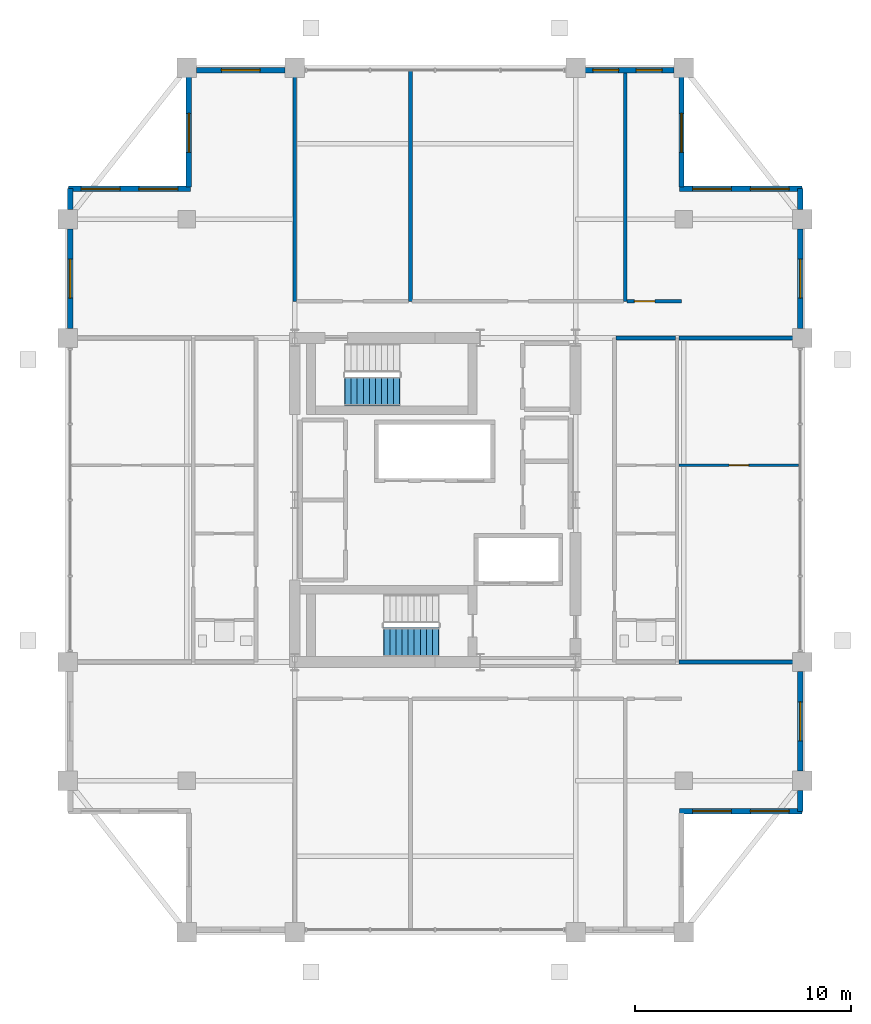
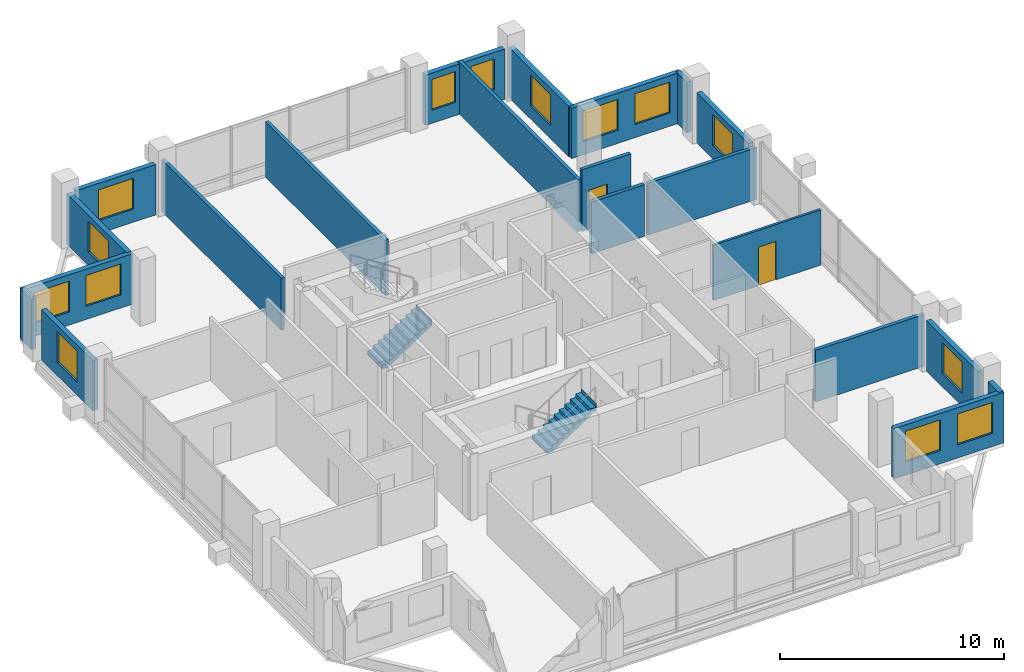
# One storey, part 18 of 21: 21 walls, 14 windows, 2 doors, 2 stair flights, 16 openings, 2 elements without a shape of their own.
"""IFC4 building model written with IfcOpenShell, lengths in metres."""

import ifcopenshell
import ifcopenshell.guid

model = None  # the IFC model being written
_history = None  # IfcOwnerHistory: only IFC2X3 demands one
_inside = {}  # id of a spatial element -> (the spatial element, [elements in it])
_under = {}  # id of a project, library or spatial element -> (it, [spatial elements below it])
_declared = {}  # id of a project -> (the project, [libraries it declares])
_typed = {}  # id of a type object -> (the type object, [elements of that type])
_made_of = {}  # id of a material, layer set ... -> (it, [elements and type objects made of it])


def new_model(schema):
    """Start an empty IFC model of exactly this schema.

    Asked for "IFC4X3", IfcOpenShell would pick the latest addendum, in which some entities
    have other attributes; the version numbers below select the first issue.
    IFC2X3 requires an IfcOwnerHistory on every rooted entity: one is made here for all.
    """
    global model, _history
    if schema == "IFC4X3":
        model = ifcopenshell.file(schema_version=(4, 3, 0, 0))
    else:
        model = ifcopenshell.file(schema=schema)
    _inside.clear()
    _under.clear()
    _declared.clear()
    _typed.clear()
    _made_of.clear()
    _history = None
    if model.schema == "IFC2X3":
        org = make("IfcOrganization", Name="unknown")
        user = make(
            "IfcPersonAndOrganization",
            ThePerson=make("IfcPerson", FamilyName="unknown"),
            TheOrganization=org,
        )
        app = make(
            "IfcApplication",
            ApplicationDeveloper=org,
            Version="unknown",
            ApplicationFullName="unknown",
            ApplicationIdentifier="unknown",
        )
        _history = make(
            "IfcOwnerHistory",
            OwningUser=user,
            OwningApplication=app,
            ChangeAction="ADDED",
            CreationDate=0,
        )
    return model


def make(cls, **values):
    """One entity of the class cls with the attributes given. An attribute that is None is left unset."""
    return model.create_entity(
        cls, **{name: value for name, value in values.items() if value is not None}
    )


def rooted(cls, **values):
    """An entity with a GlobalId (a new one), such as an element, a storey or a relation."""
    return make(cls, GlobalId=ifcopenshell.guid.new(), OwnerHistory=_history, **values)


def si_unit(unit_type, name, prefix=None):
    """IfcSIUnit, for example si_unit("LENGTHUNIT", "METRE", prefix="MILLI")."""
    return make("IfcSIUnit", UnitType=unit_type, Prefix=prefix, Name=name)


def assignment(units):
    """IfcUnitAssignment: the units of a project."""
    return None if units is None else make("IfcUnitAssignment", Units=units)


def point(xyz):
    """IfcCartesianPoint."""
    return None if xyz is None else make("IfcCartesianPoint", Coordinates=xyz)


def direction(xyz):
    """IfcDirection."""
    return None if xyz is None else make("IfcDirection", DirectionRatios=xyz)


def frame(location, z_axis=None, x_axis=None):
    """IfcAxis2Placement3D, a coordinate frame: its origin and axes. An axis left out is left unset."""
    return make(
        "IfcAxis2Placement3D",
        Location=point(location),
        Axis=direction(z_axis),
        RefDirection=direction(x_axis),
    )


def frame_2d(location, x_axis=None):
    """IfcAxis2Placement2D, a coordinate frame in the plane: its origin and x axis."""
    return make(
        "IfcAxis2Placement2D", Location=point(location), RefDirection=direction(x_axis)
    )


def origin():
    """The frame at (0, 0, 0) with its axes left unset."""
    return frame((0.0, 0.0, 0.0))


def place(relative_to, where):
    """IfcLocalPlacement: puts the frame where relative to a parent placement (None: the world)."""
    return make(
        "IfcLocalPlacement", PlacementRelTo=relative_to, RelativePlacement=where
    )


def context(
    kind, dimensions, precision=None, world=None, true_north=None, identifier=None
):
    """IfcGeometricRepresentationContext, for example the 3D "Model" context."""
    return make(
        "IfcGeometricRepresentationContext",
        ContextIdentifier=identifier,
        ContextType=kind,
        CoordinateSpaceDimension=dimensions,
        Precision=precision,
        WorldCoordinateSystem=world,
        TrueNorth=true_north,
    )


def subcontext(parent, identifier, kind, view, scale=None):
    """IfcGeometricRepresentationSubContext, for example "Body" below "Model"."""
    return make(
        "IfcGeometricRepresentationSubContext",
        ContextIdentifier=identifier,
        ContextType=kind,
        ParentContext=parent,
        TargetScale=scale,
        TargetView=view,
    )


def project(units=None, contexts=None):
    """IfcProject with its units and contexts."""
    return rooted(
        "IfcProject",
        Name="project",
        RepresentationContexts=contexts,
        UnitsInContext=assignment(units),
    )


def spatial(cls, under=None, at=None, **own):
    """A site, building, storey or space (cls), placed at a placement, below another one or the project."""
    s = rooted(cls, ObjectPlacement=at, **own)
    if under is not None:
        _under.setdefault(under.id(), (under, []))[1].append(s)
    return s


def polyline(points):
    """IfcPolyline through the points."""
    return make("IfcPolyline", Points=[point(p) for p in points])


def profile(cls, at=None, kind="AREA", **sizes):
    """A parametric profile (cls). Its sizes go by their IFC names, for example OverallWidth=200.0."""
    return make(cls, ProfileType=kind, Position=at, **sizes)


def rectangle(**sizes):
    """IfcRectangleProfileDef."""
    return profile("IfcRectangleProfileDef", **sizes)


def outline(outer, holes=None, kind="AREA"):
    """IfcArbitraryClosedProfileDef: a profile drawn as a closed curve; with holes, ...WithVoids."""
    if holes is None:
        return make("IfcArbitraryClosedProfileDef", ProfileType=kind, OuterCurve=outer)
    return make(
        "IfcArbitraryProfileDefWithVoids",
        ProfileType=kind,
        OuterCurve=outer,
        InnerCurves=holes,
    )


def extrude(swept, where, along, depth):
    """IfcExtrudedAreaSolid: the profile swept, set in the frame where, extruded along a direction by depth."""
    return make(
        "IfcExtrudedAreaSolid",
        SweptArea=swept,
        Position=where,
        ExtrudedDirection=direction(along),
        Depth=depth,
    )


def shape(context_of_items, identifier, shape_type, items):
    """IfcShapeRepresentation: the items that make up one representation, for example the "Body"."""
    return make(
        "IfcShapeRepresentation",
        ContextOfItems=context_of_items,
        RepresentationIdentifier=identifier,
        RepresentationType=shape_type,
        Items=items,
    )


def material(Name=None, Category=None):
    """IfcMaterial."""
    return make("IfcMaterial", Name=Name, Category=Category)


def layer(
    of_material, thickness, ventilated=None, Name=None, Category=None, Priority=None
):
    """IfcMaterialLayer: one layer of a wall or slab, of a material (None: an air gap)."""
    return make(
        "IfcMaterialLayer",
        Material=of_material,
        LayerThickness=thickness,
        IsVentilated=ventilated,
        Name=Name,
        Category=Category,
        Priority=Priority,
    )


def layer_set(layers, Name=None):
    """IfcMaterialLayerSet."""
    return make("IfcMaterialLayerSet", MaterialLayers=layers, LayerSetName=Name)


def made_of(thing, what):
    """Note that an element or type object is made of a material, layer set ...; save() writes the relation."""
    if what is not None:
        _made_of.setdefault(what.id(), (what, []))[1].append(thing)
    return thing


def type_object(cls, material=None, **own):
    """A type object (cls), such as IfcWallType, which elements share."""
    return made_of(rooted(cls, **own), material)


def element(
    cls,
    number,
    at=None,
    inside=None,
    cuts=None,
    type_object=None,
    material=None,
    context=None,
    identifier="Body",
    shape_type=None,
    held_by="IfcProductDefinitionShape",
    body=None,
    shapes=None,
    **own,
):
    """One element of the class cls, such as IfcWall. Its Tag is "e" and its number.

    at: its placement. inside: the storey or other place that contains it. cuts: it is an
    opening in that element (IfcRelVoidsElement). A single representation is given by context,
    identifier, shape_type and body (its items); several are given by shapes. held_by: the class
    of the entity that holds the representations. save() writes the other relations.
    """
    e = rooted(cls, Tag="e%d" % number, ObjectPlacement=at, **own)
    if body is not None:
        shapes = [shape(context, identifier, shape_type, body)]
    if shapes is not None:
        e.Representation = make(held_by, Representations=shapes)
    if inside is not None:
        _inside.setdefault(inside.id(), (inside, []))[1].append(e)
    if cuts is not None:
        rooted(
            "IfcRelVoidsElement", RelatingBuildingElement=cuts, RelatedOpeningElement=e
        )
    if type_object is not None:
        _typed.setdefault(type_object.id(), (type_object, []))[1].append(e)
    return made_of(e, material)


def fill(opening, filler):
    """IfcRelFillsElement: the door or window that sits in an opening."""
    return rooted(
        "IfcRelFillsElement",
        RelatingOpeningElement=opening,
        RelatedBuildingElement=filler,
    )


def aggregate(whole, parts):
    """IfcRelAggregates: a whole, such as a stair, and the parts it consists of."""
    return rooted("IfcRelAggregates", RelatingObject=whole, RelatedObjects=parts)


def save(model, path):
    """Write the relations noted so far, then the file.

    IfcRelAggregates (storeys below a building ...), IfcRelContainedInSpatialStructure (elements
    in a storey), IfcRelDefinesByType, IfcRelAssociatesMaterial and IfcRelDeclares: one each for
    every whole, place, type object, material and project.
    """
    for whole, parts in _under.values():
        aggregate(whole, parts)
    for where, things in _inside.values():
        rooted(
            "IfcRelContainedInSpatialStructure",
            RelatedElements=things,
            RelatingStructure=where,
        )
    for kind, things in _typed.values():
        rooted("IfcRelDefinesByType", RelatedObjects=things, RelatingType=kind)
    for what, things in _made_of.values():
        rooted("IfcRelAssociatesMaterial", RelatedObjects=things, RelatingMaterial=what)
    for by, libraries in _declared.values():
        rooted("IfcRelDeclares", RelatingContext=by, RelatedDefinitions=libraries)
    model.write(path)


model = new_model("IFC4")

# Units and contexts
model_context = context("Model", 3, precision=1e-05, world=origin(), true_north=direction((0.0, 1.0)))
body_context = subcontext(model_context, "Body", "Model", "MODEL_VIEW")
ifc_project = project(units=[si_unit("LENGTHUNIT", "METRE"), si_unit("AREAUNIT", "SQUARE_METRE"), si_unit("VOLUMEUNIT", "CUBIC_METRE"), si_unit("PLANEANGLEUNIT", "RADIAN"), si_unit("MASSUNIT", "GRAM", prefix="KILO")], contexts=[model_context])

# Site, building, storey
site_placement = place(None, origin())
site = spatial("IfcSite", under=ifc_project, at=site_placement, CompositionType="ELEMENT")
building_placement = place(site_placement, origin())
building = spatial("IfcBuilding", under=site, at=building_placement, Name="Barlavira Tower and Art Museum", CompositionType="ELEMENT")
storey_placement = place(building_placement, frame((0.0, 0.0, 287.10009765625)))
storey = spatial("IfcBuildingStorey", under=building, at=storey_placement, Name="L75", CompositionType="ELEMENT", Elevation=287.10009765625)

# Wall, opening, door
ifc_material_1 = material(Name="Gypsum acoustic stud partition", Category="gypsum")
ifc_layer_1 = layer(ifc_material_1, 0.1201171875, Name="Gypsum acoustic stud partition")
ifc_layer_set_1 = layer_set([ifc_layer_1], Name="Gypsum acoustic stud partition")
wall_type_1 = type_object("IfcWallType", Name="Apartment Internal Acoustic Partition 120", PredefinedType="PARTITIONING", material=ifc_layer_set_1)
wall_1_placement = place(storey_placement, frame((11.280029296875, 1.60009765625, 0.0), z_axis=(0.0, 0.0, 1.0), x_axis=(1.0, 0.0, 0.0)))
wall_1 = element("IfcWall", 1, at=wall_1_placement, inside=storey, type_object=wall_type_1, Name="L75 Partition Wall 32", PredefinedType="PARTITIONING", context=body_context, shape_type="SweptSolid", body=[
    extrude(rectangle(XDim=5.5400390625, YDim=0.1201171875, at=frame_2d((2.77001953125, 0.0))), origin(), (0.0, 0.0, 1.0), 3.017822265625),
])
opening_1_placement = place(wall_1_placement, frame((2.330078125, 0.0, 0.0)))
opening_1 = element("IfcOpeningElement", 2, at=opening_1_placement, cuts=wall_1, Name="Opening D-01", PredefinedType="OPENING", context=body_context, shape_type="SweptSolid", body=[
    extrude(rectangle(XDim=0.89990234375, YDim=2.10009765625, at=frame_2d((0.449951171875, 1.050048828125))), frame((0.0, 0.070068359375, 0.0), z_axis=(0.0, -1.0, 0.0), x_axis=(1.0, 0.0, 0.0)), (0.0, 0.0, 1.0), 0.14013671875),
])
ifc_material_2 = material(Name="Engineered coastal hardwood", Category="wood")
door_type_1 = type_object("IfcDoorType", Name="Internal Bedroom Timber Flush Door 900x2100", OperationType="NOTDEFINED", PredefinedType="DOOR", material=ifc_material_2)
door_1_placement = place(opening_1_placement, origin())
door_1 = element("IfcDoor", 3, at=door_1_placement, inside=storey, type_object=door_type_1, Name="Apartment E1 Bedroom 1 Door", OperationType="SINGLE_SWING_LEFT", OverallHeight=2.10009765625, OverallWidth=0.89990234375, PredefinedType="DOOR", context=body_context, shape_type="SweptSolid", body=[
    extrude(rectangle(XDim=0.89990234375, YDim=2.10009765625, at=frame_2d((0.449951171875, 1.050048828125))), frame((0.0, 0.02490234375, 0.0), z_axis=(0.0, -1.0, 0.0), x_axis=(1.0, 0.0, 0.0)), (0.0, 0.0, 1.0), 0.050048828125),
])
fill(opening_1, door_1)

# Walls
ifc_layer_2 = layer(ifc_material_1, 0.179931640625, Name="Gypsum acoustic stud partition")
ifc_layer_set_2 = layer_set([ifc_layer_2], Name="Gypsum acoustic stud partition")
wall_type_2 = type_object("IfcWallType", Name="Inter-Tenancy Party Partition Wall 180", PredefinedType="PARTITIONING", material=ifc_layer_set_2)
wall_2_placement = place(storey_placement, frame((-6.5, 9.199951171875, 0.0), z_axis=(0.0, 0.0, 1.0), x_axis=(0.0, 1.0, 0.0)))
element("IfcWall", 4, at=wall_2_placement, inside=storey, type_object=wall_type_2, Name="L75 Partition Wall 4", PredefinedType="PARTITIONING", context=body_context, shape_type="SweptSolid", body=[
    extrude(rectangle(XDim=10.699951171875, YDim=0.179931640625, at=frame_2d((5.35009765625, 0.0))), origin(), (0.0, 0.0, 1.0), 2.825927734375),
])
wall_3_placement = place(storey_placement, frame((-1.14990234375, 9.199951171875, 0.0), z_axis=(0.0, 0.0, 1.0), x_axis=(0.0, 1.0, 0.0)))
element("IfcWall", 5, at=wall_3_placement, inside=storey, type_object=wall_type_2, Name="L75 Partition Wall 8", PredefinedType="PARTITIONING", context=body_context, shape_type="SweptSolid", body=[
    extrude(rectangle(XDim=10.699951171875, YDim=0.179931640625, at=frame_2d((5.35009765625, 0.0))), origin(), (0.0, 0.0, 1.0), 3.017822265625),
])
wall_4_placement = place(storey_placement, frame((8.800048828125, 9.199951171875, 0.0), z_axis=(0.0, 0.0, 1.0), x_axis=(0.0, 1.0, 0.0)))
element("IfcWall", 6, at=wall_4_placement, inside=storey, type_object=wall_type_2, Name="L75 Partition Wall 14", PredefinedType="PARTITIONING", context=body_context, shape_type="SweptSolid", body=[
    extrude(rectangle(XDim=10.699951171875, YDim=0.179931640625, at=frame_2d((5.35009765625, 0.0))), origin(), (0.0, 0.0, 1.0), 2.825927734375),
])
wall_5_placement = place(storey_placement, frame((11.280029296875, -7.5, 0.0), z_axis=(0.0, 0.0, 1.0), x_axis=(1.0, 0.0, 0.0)))
element("IfcWall", 7, at=wall_5_placement, inside=storey, type_object=wall_type_2, Name="L75 Partition Wall 22", PredefinedType="PARTITIONING", context=body_context, shape_type="SweptSolid", body=[
    extrude(rectangle(XDim=5.619873046875, YDim=0.179931640625, at=frame_2d((2.81005859375, 0.0))), origin(), (0.0, 0.0, 1.0), 2.825927734375),
])
wall_6_placement = place(storey_placement, frame((8.3798828125, 7.5, 0.0), z_axis=(0.0, 0.0, 1.0), x_axis=(1.0, 0.0, 0.0)))
element("IfcWall", 8, at=wall_6_placement, inside=storey, type_object=wall_type_2, Name="L75 Partition Wall 40", PredefinedType="PARTITIONING", context=body_context, shape_type="SweptSolid", body=[
    extrude(rectangle(XDim=2.740234375, YDim=0.179931640625, at=frame_2d((1.3701171875, 0.0))), origin(), (0.0, 0.0, 1.0), 2.825927734375),
])
wall_7_placement = place(storey_placement, frame((11.280029296875, 7.5, 0.0), z_axis=(0.0, 0.0, 1.0), x_axis=(1.0, 0.0, 0.0)))
element("IfcWall", 9, at=wall_7_placement, inside=storey, type_object=wall_type_2, Name="L75 Partition Wall 41", PredefinedType="PARTITIONING", context=body_context, shape_type="SweptSolid", body=[
    extrude(rectangle(XDim=5.619873046875, YDim=0.179931640625, at=frame_2d((2.81005859375, 0.0))), origin(), (0.0, 0.0, 1.0), 2.825927734375),
])

# Wall, opening, door
wall_8_placement = place(storey_placement, frame((8.8798828125, 9.199951171875, 0.0), z_axis=(0.0, 0.0, 1.0), x_axis=(1.0, 0.0, 0.0)))
wall_8 = element("IfcWall", 10, at=wall_8_placement, inside=storey, type_object=wall_type_2, Name="L75 Partition Wall 44", PredefinedType="PARTITIONING", context=body_context, shape_type="SweptSolid", body=[
    extrude(rectangle(XDim=2.52001953125, YDim=0.179931640625, at=frame_2d((1.260009765625, 0.0))), origin(), (0.0, 0.0, 1.0), 3.3798828125),
])
opening_2_placement = place(wall_8_placement, frame((0.344970703125, 0.0, 0.0)))
opening_2 = element("IfcOpeningElement", 11, at=opening_2_placement, cuts=wall_8, Name="Opening FD-60", PredefinedType="OPENING", context=body_context, shape_type="SweptSolid", body=[
    extrude(rectangle(XDim=0.949951171875, YDim=2.14990234375, at=frame_2d((0.47509765625, 1.074951171875))), frame((0.0, 0.10009765625, 0.0), z_axis=(0.0, -1.0, 0.0), x_axis=(1.0, 0.0, 0.0)), (0.0, 0.0, 1.0), 0.199951171875),
])
ifc_material_3 = material(Name="Brushed stainless steel", Category="steel")
door_type_2 = type_object("IfcDoorType", Name="Apartment Entrance and Riser Fire Door 950x2150 FD60S", OperationType="NOTDEFINED", PredefinedType="DOOR", material=ifc_material_3)
door_2_placement = place(opening_2_placement, origin())
door_2 = element("IfcDoor", 12, at=door_2_placement, inside=storey, type_object=door_type_2, Name="Shared Coworking Espresso Pantry Door", OperationType="SINGLE_SWING_LEFT", OverallHeight=2.14990234375, OverallWidth=0.949951171875, PredefinedType="DOOR", context=body_context, shape_type="SweptSolid", body=[
    extrude(rectangle(XDim=0.949951171875, YDim=2.14990234375, at=frame_2d((0.47509765625, 1.074951171875))), frame((0.0, 0.02490234375, 0.0), z_axis=(0.0, -1.0, 0.0), x_axis=(1.0, 0.0, 0.0)), (0.0, 0.0, 1.0), 0.050048828125),
])
fill(opening_2, door_2)

# Wall, openings, windows
ifc_material_4 = material(Name="Precast concrete C40", Category="concrete")
ifc_layer_3 = layer(ifc_material_4, 0.25, Name="Precast concrete C40")
ifc_layer_set_3 = layer_set([ifc_layer_3], Name="Precast concrete C40")
wall_type_3 = type_object("IfcWallType", Name="Notched Corner Spandrel Wall 250 Precast Concrete C40", PredefinedType="SOLIDWALL", material=ifc_layer_set_3)
wall_9_placement = place(storey_placement, frame((11.054931640625, 19.89990234375, 0.0), z_axis=(0.0, 0.0, 1.0), x_axis=(-1.0, 0.0, 0.0)))
wall_9 = element("IfcWall", 13, at=wall_9_placement, inside=storey, type_object=wall_type_3, Name="L75 Coastal Facade Pier Wall CW4-L75-N-1", PredefinedType="SOLIDWALL", context=body_context, shape_type="SweptSolid", body=[
    extrude(rectangle(XDim=4.10986328125, YDim=0.25, at=frame_2d((2.054931640625, 0.0))), origin(), (0.0, 0.0, 1.0), 2.747802734375),
])
opening_3_placement = place(wall_9_placement, frame((0.550048828125, 0.0, 0.719970703125)))
opening_3 = element("IfcOpeningElement", 14, at=opening_3_placement, cuts=wall_9, Name="Opening WN-05", PredefinedType="OPENING", context=body_context, shape_type="SweptSolid", body=[
    extrude(rectangle(XDim=1.199951171875, YDim=1.679931640625, at=frame_2d((0.60009765625, 0.83984375))), frame((0.0, 0.135009765625, 0.0), z_axis=(0.0, -1.0, 0.0), x_axis=(1.0, 0.0, 0.0)), (0.0, 0.0, 1.0), 0.27001953125),
])
opening_4_placement = place(wall_9_placement, frame((2.56005859375, 0.0, 0.719970703125)))
opening_4 = element("IfcOpeningElement", 15, at=opening_4_placement, cuts=wall_9, Name="Opening WN-05", PredefinedType="OPENING", context=body_context, shape_type="SweptSolid", body=[
    extrude(rectangle(XDim=1.199951171875, YDim=1.679931640625, at=frame_2d((0.60009765625, 0.83984375))), frame((0.0, 0.135009765625, 0.0), z_axis=(0.0, -1.0, 0.0), x_axis=(1.0, 0.0, 0.0)), (0.0, 0.0, 1.0), 0.27001953125),
])
ifc_material_5 = material(Name="Low-iron coastal laminated glass", Category="glass")
window_type_1 = type_object("IfcWindowType", Name="Recessed Flank Pier Punch Window 1200x1680", PartitioningType="SINGLE_PANEL", PredefinedType="WINDOW", material=ifc_material_5)
window_1_placement = place(opening_3_placement, origin())
window_1 = element("IfcWindow", 16, at=window_1_placement, inside=storey, type_object=window_type_1, Name="L75 Punched Facade Window EWP-CW4-L75-N-1-1", OverallHeight=1.679931640625, OverallWidth=1.199951171875, PartitioningType="SINGLE_PANEL", PredefinedType="WINDOW", context=body_context, shape_type="SweptSolid", body=[
    extrude(rectangle(XDim=1.199951171875, YDim=1.679931640625, at=frame_2d((0.60009765625, 0.83984375))), frame((0.0, 0.030029296875, 0.0), z_axis=(0.0, -1.0, 0.0), x_axis=(1.0, 0.0, 0.0)), (0.0, 0.0, 1.0), 0.06005859375),
])
fill(opening_3, window_1)
window_2_placement = place(opening_4_placement, origin())
window_2 = element("IfcWindow", 17, at=window_2_placement, inside=storey, type_object=window_type_1, Name="L75 Punched Facade Window EWP-CW4-L75-N-1-2", OverallHeight=1.679931640625, OverallWidth=1.199951171875, PartitioningType="SINGLE_PANEL", PredefinedType="WINDOW", context=body_context, shape_type="SweptSolid", body=[
    extrude(rectangle(XDim=1.199951171875, YDim=1.679931640625, at=frame_2d((0.60009765625, 0.83984375))), frame((0.0, 0.030029296875, 0.0), z_axis=(0.0, -1.0, 0.0), x_axis=(1.0, 0.0, 0.0)), (0.0, 0.0, 1.0), 0.06005859375),
])
fill(opening_4, window_2)

# Wall, opening, window
wall_10_placement = place(storey_placement, frame((-6.945068359375, 19.89990234375, 0.0), z_axis=(0.0, 0.0, 1.0), x_axis=(-1.0, 0.0, 0.0)))
wall_10 = element("IfcWall", 18, at=wall_10_placement, inside=storey, type_object=wall_type_3, Name="L75 Coastal Facade Pier Wall CW4-L75-N-3", PredefinedType="SOLIDWALL", context=body_context, shape_type="SweptSolid", body=[
    extrude(rectangle(XDim=4.10986328125, YDim=0.25, at=frame_2d((2.054931640625, 0.0))), origin(), (0.0, 0.0, 1.0), 2.747802734375),
])
opening_5_placement = place(wall_10_placement, frame((1.155029296875, 0.0, 0.719970703125)))
opening_5 = element("IfcOpeningElement", 19, at=opening_5_placement, cuts=wall_10, Name="Opening WN-01", PredefinedType="OPENING", context=body_context, shape_type="SweptSolid", body=[
    extrude(rectangle(XDim=1.800048828125, YDim=1.679931640625, at=frame_2d((0.89990234375, 0.83984375))), frame((0.0, 0.135009765625, 0.0), z_axis=(0.0, -1.0, 0.0), x_axis=(1.0, 0.0, 0.0)), (0.0, 0.0, 1.0), 0.27001953125),
])
window_type_2 = type_object("IfcWindowType", Name="Recessed Notch Corner Punch Window 1800x1680", PartitioningType="SINGLE_PANEL", PredefinedType="WINDOW", material=ifc_material_5)
window_3_placement = place(opening_5_placement, origin())
window_3 = element("IfcWindow", 20, at=window_3_placement, inside=storey, type_object=window_type_2, Name="L75 Punched Facade Window EWP-CW4-L75-N-3-1", OverallHeight=1.679931640625, OverallWidth=1.800048828125, PartitioningType="SINGLE_PANEL", PredefinedType="WINDOW", context=body_context, shape_type="SweptSolid", body=[
    extrude(rectangle(XDim=1.800048828125, YDim=1.679931640625, at=frame_2d((0.89990234375, 0.83984375))), frame((0.0, 0.030029296875, 0.0), z_axis=(0.0, -1.0, 0.0), x_axis=(1.0, 0.0, 0.0)), (0.0, 0.0, 1.0), 0.06005859375),
])
fill(opening_5, window_3)

# Wall
wall_11_placement = place(storey_placement, frame((-16.89990234375, 14.425048828125, 0.0), z_axis=(0.0, 0.0, 1.0), x_axis=(0.0, -1.0, 0.0)))
element("IfcWall", 21, at=wall_11_placement, inside=storey, type_object=wall_type_3, Name="L75 Coastal Facade Pier Wall CW4-L75-W-1", PredefinedType="SOLIDWALL", context=body_context, shape_type="SweptSolid", body=[
    extrude(rectangle(XDim=0.97998046875, YDim=0.25, at=frame_2d((0.489990234375, 0.0))), origin(), (0.0, 0.0, 1.0), 2.747802734375),
])

# Wall, opening, window
wall_12_placement = place(storey_placement, frame((-16.89990234375, 12.554931640625, 0.0), z_axis=(0.0, 0.0, 1.0), x_axis=(0.0, -1.0, 0.0)))
wall_12 = element("IfcWall", 22, at=wall_12_placement, inside=storey, type_object=wall_type_3, Name="L75 Coastal Facade Pier Wall CW4-L75-W-2", PredefinedType="SOLIDWALL", context=body_context, shape_type="SweptSolid", body=[
    extrude(rectangle(XDim=4.60986328125, YDim=0.25, at=frame_2d((2.304931640625, 0.0))), origin(), (0.0, 0.0, 1.0), 2.747802734375),
])
opening_6_placement = place(wall_12_placement, frame((1.405029296875, 0.0, 0.719970703125)))
opening_6 = element("IfcOpeningElement", 23, at=opening_6_placement, cuts=wall_12, Name="Opening WN-01", PredefinedType="OPENING", context=body_context, shape_type="SweptSolid", body=[
    extrude(rectangle(XDim=1.800048828125, YDim=1.679931640625, at=frame_2d((0.89990234375, 0.83984375))), frame((0.0, 0.135009765625, 0.0), z_axis=(0.0, -1.0, 0.0), x_axis=(1.0, 0.0, 0.0)), (0.0, 0.0, 1.0), 0.27001953125),
])
window_4_placement = place(opening_6_placement, origin())
window_4 = element("IfcWindow", 24, at=window_4_placement, inside=storey, type_object=window_type_2, Name="L75 Punched Facade Window EWP-CW4-L75-W-2-1", OverallHeight=1.679931640625, OverallWidth=1.800048828125, PartitioningType="SINGLE_PANEL", PredefinedType="WINDOW", context=body_context, shape_type="SweptSolid", body=[
    extrude(rectangle(XDim=1.800048828125, YDim=1.679931640625, at=frame_2d((0.89990234375, 0.83984375))), frame((0.0, 0.030029296875, 0.0), z_axis=(0.0, -1.0, 0.0), x_axis=(1.0, 0.0, 0.0)), (0.0, 0.0, 1.0), 0.06005859375),
])
fill(opening_6, window_4)

# Wall
wall_13_placement = place(storey_placement, frame((16.89990234375, -14.425048828125, 0.0), z_axis=(0.0, 0.0, 1.0), x_axis=(0.0, 1.0, 0.0)))
element("IfcWall", 25, at=wall_13_placement, inside=storey, type_object=wall_type_3, Name="L75 Coastal Facade Pier Wall CW4-L75-E-1", PredefinedType="SOLIDWALL", context=body_context, shape_type="SweptSolid", body=[
    extrude(rectangle(XDim=0.97998046875, YDim=0.25, at=frame_2d((0.489990234375, 0.0))), origin(), (0.0, 0.0, 1.0), 2.747802734375),
])

# Wall, opening, window
wall_14_placement = place(storey_placement, frame((16.89990234375, -12.554931640625, 0.0), z_axis=(0.0, 0.0, 1.0), x_axis=(0.0, 1.0, 0.0)))
wall_14 = element("IfcWall", 26, at=wall_14_placement, inside=storey, type_object=wall_type_3, Name="L75 Coastal Facade Pier Wall CW4-L75-E-2", PredefinedType="SOLIDWALL", context=body_context, shape_type="SweptSolid", body=[
    extrude(rectangle(XDim=4.60986328125, YDim=0.25, at=frame_2d((2.304931640625, 0.0))), origin(), (0.0, 0.0, 1.0), 2.747802734375),
])
opening_7_placement = place(wall_14_placement, frame((1.405029296875, 0.0, 0.719970703125)))
opening_7 = element("IfcOpeningElement", 27, at=opening_7_placement, cuts=wall_14, Name="Opening WN-01", PredefinedType="OPENING", context=body_context, shape_type="SweptSolid", body=[
    extrude(rectangle(XDim=1.800048828125, YDim=1.679931640625, at=frame_2d((0.89990234375, 0.83984375))), frame((0.0, 0.135009765625, 0.0), z_axis=(0.0, -1.0, 0.0), x_axis=(1.0, 0.0, 0.0)), (0.0, 0.0, 1.0), 0.27001953125),
])
window_5_placement = place(opening_7_placement, origin())
window_5 = element("IfcWindow", 28, at=window_5_placement, inside=storey, type_object=window_type_2, Name="L75 Punched Facade Window EWP-CW4-L75-E-2-1", OverallHeight=1.679931640625, OverallWidth=1.800048828125, PartitioningType="SINGLE_PANEL", PredefinedType="WINDOW", context=body_context, shape_type="SweptSolid", body=[
    extrude(rectangle(XDim=1.800048828125, YDim=1.679931640625, at=frame_2d((0.89990234375, 0.83984375))), frame((0.0, 0.030029296875, 0.0), z_axis=(0.0, -1.0, 0.0), x_axis=(1.0, 0.0, 0.0)), (0.0, 0.0, 1.0), 0.06005859375),
])
fill(opening_7, window_5)

wall_15_placement = place(storey_placement, frame((16.89990234375, 7.945068359375, 0.0), z_axis=(0.0, 0.0, 1.0), x_axis=(0.0, 1.0, 0.0)))
wall_15 = element("IfcWall", 29, at=wall_15_placement, inside=storey, type_object=wall_type_3, Name="L75 Coastal Facade Pier Wall CW4-L75-E-4", PredefinedType="SOLIDWALL", context=body_context, shape_type="SweptSolid", body=[
    extrude(rectangle(XDim=4.60986328125, YDim=0.25, at=frame_2d((2.304931640625, 0.0))), origin(), (0.0, 0.0, 1.0), 2.747802734375),
])
opening_8_placement = place(wall_15_placement, frame((1.405029296875, 0.0, 0.719970703125)))
opening_8 = element("IfcOpeningElement", 30, at=opening_8_placement, cuts=wall_15, Name="Opening WN-01", PredefinedType="OPENING", context=body_context, shape_type="SweptSolid", body=[
    extrude(rectangle(XDim=1.800048828125, YDim=1.679931640625, at=frame_2d((0.89990234375, 0.83984375))), frame((0.0, 0.135009765625, 0.0), z_axis=(0.0, -1.0, 0.0), x_axis=(1.0, 0.0, 0.0)), (0.0, 0.0, 1.0), 0.27001953125),
])
window_6_placement = place(opening_8_placement, origin())
window_6 = element("IfcWindow", 31, at=window_6_placement, inside=storey, type_object=window_type_2, Name="L75 Punched Facade Window EWP-CW4-L75-E-4-1", OverallHeight=1.679931640625, OverallWidth=1.800048828125, PartitioningType="SINGLE_PANEL", PredefinedType="WINDOW", context=body_context, shape_type="SweptSolid", body=[
    extrude(rectangle(XDim=1.800048828125, YDim=1.679931640625, at=frame_2d((0.89990234375, 0.83984375))), frame((0.0, 0.030029296875, 0.0), z_axis=(0.0, -1.0, 0.0), x_axis=(1.0, 0.0, 0.0)), (0.0, 0.0, 1.0), 0.06005859375),
])
fill(opening_8, window_6)

# Wall
wall_16_placement = place(storey_placement, frame((16.89990234375, 13.445068359375, 0.0), z_axis=(0.0, 0.0, 1.0), x_axis=(0.0, 1.0, 0.0)))
element("IfcWall", 32, at=wall_16_placement, inside=storey, type_object=wall_type_3, Name="L75 Coastal Facade Pier Wall CW4-L75-E-5", PredefinedType="SOLIDWALL", context=body_context, shape_type="SweptSolid", body=[
    extrude(rectangle(XDim=0.97998046875, YDim=0.25, at=frame_2d((0.489990234375, 0.0))), origin(), (0.0, 0.0, 1.0), 2.747802734375),
])

# Wall, openings, windows
wall_17_placement = place(storey_placement, frame((11.320068359375, -14.39990234375, 0.0), z_axis=(0.0, 0.0, 1.0), x_axis=(1.0, 0.0, 0.0)))
wall_17 = element("IfcWall", 33, at=wall_17_placement, inside=storey, type_object=wall_type_3, Name="L75 Notch Corner Wall SE2", PredefinedType="SOLIDWALL", context=body_context, shape_type="SweptSolid", body=[
    extrude(rectangle(XDim=5.659912109375, YDim=0.25, at=frame_2d((2.830078125, 0.0))), origin(), (0.0, 0.0, 1.0), 2.747802734375),
])
opening_9_placement = place(wall_17_placement, frame((0.594970703125, 0.0, 0.719970703125)))
opening_9 = element("IfcOpeningElement", 34, at=opening_9_placement, cuts=wall_17, Name="Opening WN-01", PredefinedType="OPENING", context=body_context, shape_type="SweptSolid", body=[
    extrude(rectangle(XDim=1.800048828125, YDim=1.679931640625, at=frame_2d((0.89990234375, 0.83984375))), frame((0.0, 0.135009765625, 0.0), z_axis=(0.0, -1.0, 0.0), x_axis=(1.0, 0.0, 0.0)), (0.0, 0.0, 1.0), 0.27001953125),
])
opening_10_placement = place(wall_17_placement, frame((3.264892578125, 0.0, 0.719970703125)))
opening_10 = element("IfcOpeningElement", 35, at=opening_10_placement, cuts=wall_17, Name="Opening WN-01", PredefinedType="OPENING", context=body_context, shape_type="SweptSolid", body=[
    extrude(rectangle(XDim=1.800048828125, YDim=1.679931640625, at=frame_2d((0.89990234375, 0.83984375))), frame((0.0, 0.135009765625, 0.0), z_axis=(0.0, -1.0, 0.0), x_axis=(1.0, 0.0, 0.0)), (0.0, 0.0, 1.0), 0.27001953125),
])
window_7_placement = place(opening_9_placement, origin())
window_7 = element("IfcWindow", 36, at=window_7_placement, inside=storey, type_object=window_type_2, Name="L75 Punched Facade Window EW-NTC-L75-SE2-1", OverallHeight=1.679931640625, OverallWidth=1.800048828125, PartitioningType="SINGLE_PANEL", PredefinedType="WINDOW", context=body_context, shape_type="SweptSolid", body=[
    extrude(rectangle(XDim=1.800048828125, YDim=1.679931640625, at=frame_2d((0.89990234375, 0.83984375))), frame((0.0, 0.030029296875, 0.0), z_axis=(0.0, -1.0, 0.0), x_axis=(1.0, 0.0, 0.0)), (0.0, 0.0, 1.0), 0.06005859375),
])
fill(opening_9, window_7)
window_8_placement = place(opening_10_placement, origin())
window_8 = element("IfcWindow", 37, at=window_8_placement, inside=storey, type_object=window_type_2, Name="L75 Punched Facade Window EW-NTC-L75-SE2-2", OverallHeight=1.679931640625, OverallWidth=1.800048828125, PartitioningType="SINGLE_PANEL", PredefinedType="WINDOW", context=body_context, shape_type="SweptSolid", body=[
    extrude(rectangle(XDim=1.800048828125, YDim=1.679931640625, at=frame_2d((0.89990234375, 0.83984375))), frame((0.0, 0.030029296875, 0.0), z_axis=(0.0, -1.0, 0.0), x_axis=(1.0, 0.0, 0.0)), (0.0, 0.0, 1.0), 0.06005859375),
])
fill(opening_10, window_8)

wall_18_placement = place(storey_placement, frame((16.97998046875, 14.39990234375, 0.0), z_axis=(0.0, 0.0, 1.0), x_axis=(-1.0, 0.0, 0.0)))
wall_18 = element("IfcWall", 38, at=wall_18_placement, inside=storey, type_object=wall_type_3, Name="L75 Notch Corner Wall NE1", PredefinedType="SOLIDWALL", context=body_context, shape_type="SweptSolid", body=[
    extrude(rectangle(XDim=5.659912109375, YDim=0.25, at=frame_2d((2.830078125, 0.0))), origin(), (0.0, 0.0, 1.0), 2.747802734375),
])
opening_11_placement = place(wall_18_placement, frame((0.594970703125, 0.0, 0.719970703125)))
opening_11 = element("IfcOpeningElement", 39, at=opening_11_placement, cuts=wall_18, Name="Opening WN-01", PredefinedType="OPENING", context=body_context, shape_type="SweptSolid", body=[
    extrude(rectangle(XDim=1.800048828125, YDim=1.679931640625, at=frame_2d((0.89990234375, 0.83984375))), frame((0.0, 0.135009765625, 0.0), z_axis=(0.0, -1.0, 0.0), x_axis=(1.0, 0.0, 0.0)), (0.0, 0.0, 1.0), 0.27001953125),
])
opening_12_placement = place(wall_18_placement, frame((3.264892578125, 0.0, 0.719970703125)))
opening_12 = element("IfcOpeningElement", 40, at=opening_12_placement, cuts=wall_18, Name="Opening WN-01", PredefinedType="OPENING", context=body_context, shape_type="SweptSolid", body=[
    extrude(rectangle(XDim=1.800048828125, YDim=1.679931640625, at=frame_2d((0.89990234375, 0.83984375))), frame((0.0, 0.135009765625, 0.0), z_axis=(0.0, -1.0, 0.0), x_axis=(1.0, 0.0, 0.0)), (0.0, 0.0, 1.0), 0.27001953125),
])
window_9_placement = place(opening_11_placement, origin())
window_9 = element("IfcWindow", 41, at=window_9_placement, inside=storey, type_object=window_type_2, Name="L75 Punched Facade Window EW-NTC-L75-NE1-1", OverallHeight=1.679931640625, OverallWidth=1.800048828125, PartitioningType="SINGLE_PANEL", PredefinedType="WINDOW", context=body_context, shape_type="SweptSolid", body=[
    extrude(rectangle(XDim=1.800048828125, YDim=1.679931640625, at=frame_2d((0.89990234375, 0.83984375))), frame((0.0, 0.030029296875, 0.0), z_axis=(0.0, -1.0, 0.0), x_axis=(1.0, 0.0, 0.0)), (0.0, 0.0, 1.0), 0.06005859375),
])
fill(opening_11, window_9)
window_10_placement = place(opening_12_placement, origin())
window_10 = element("IfcWindow", 42, at=window_10_placement, inside=storey, type_object=window_type_2, Name="L75 Punched Facade Window EW-NTC-L75-NE1-2", OverallHeight=1.679931640625, OverallWidth=1.800048828125, PartitioningType="SINGLE_PANEL", PredefinedType="WINDOW", context=body_context, shape_type="SweptSolid", body=[
    extrude(rectangle(XDim=1.800048828125, YDim=1.679931640625, at=frame_2d((0.89990234375, 0.83984375))), frame((0.0, 0.030029296875, 0.0), z_axis=(0.0, -1.0, 0.0), x_axis=(1.0, 0.0, 0.0)), (0.0, 0.0, 1.0), 0.06005859375),
])
fill(opening_12, window_10)

# Wall, opening, window
wall_19_placement = place(storey_placement, frame((11.39990234375, 14.47998046875, 0.0), z_axis=(0.0, 0.0, 1.0), x_axis=(0.0, 1.0, 0.0)))
wall_19 = element("IfcWall", 43, at=wall_19_placement, inside=storey, type_object=wall_type_3, Name="L75 Notch Corner Wall NE2", PredefinedType="SOLIDWALL", context=body_context, shape_type="SweptSolid", body=[
    extrude(rectangle(XDim=5.340087890625, YDim=0.25, at=frame_2d((2.669921875, 0.0))), origin(), (0.0, 0.0, 1.0), 2.747802734375),
])
opening_13_placement = place(wall_19_placement, frame((1.614990234375, 0.0, 0.719970703125)))
opening_13 = element("IfcOpeningElement", 44, at=opening_13_placement, cuts=wall_19, Name="Opening WN-01", PredefinedType="OPENING", context=body_context, shape_type="SweptSolid", body=[
    extrude(rectangle(XDim=1.800048828125, YDim=1.679931640625, at=frame_2d((0.89990234375, 0.83984375))), frame((0.0, 0.135009765625, 0.0), z_axis=(0.0, -1.0, 0.0), x_axis=(1.0, 0.0, 0.0)), (0.0, 0.0, 1.0), 0.27001953125),
])
window_11_placement = place(opening_13_placement, origin())
window_11 = element("IfcWindow", 45, at=window_11_placement, inside=storey, type_object=window_type_2, Name="L75 Punched Facade Window EW-NTC-L75-NE2-1", OverallHeight=1.679931640625, OverallWidth=1.800048828125, PartitioningType="SINGLE_PANEL", PredefinedType="WINDOW", context=body_context, shape_type="SweptSolid", body=[
    extrude(rectangle(XDim=1.800048828125, YDim=1.679931640625, at=frame_2d((0.89990234375, 0.83984375))), frame((0.0, 0.030029296875, 0.0), z_axis=(0.0, -1.0, 0.0), x_axis=(1.0, 0.0, 0.0)), (0.0, 0.0, 1.0), 0.06005859375),
])
fill(opening_13, window_11)

wall_20_placement = place(storey_placement, frame((-11.39990234375, 19.820068359375, 0.0), z_axis=(0.0, 0.0, 1.0), x_axis=(0.0, -1.0, 0.0)))
wall_20 = element("IfcWall", 46, at=wall_20_placement, inside=storey, type_object=wall_type_3, Name="L75 Notch Corner Wall NW1", PredefinedType="SOLIDWALL", context=body_context, shape_type="SweptSolid", body=[
    extrude(rectangle(XDim=5.340087890625, YDim=0.25, at=frame_2d((2.669921875, 0.0))), origin(), (0.0, 0.0, 1.0), 2.747802734375),
])
opening_14_placement = place(wall_20_placement, frame((1.925048828125, 0.0, 0.719970703125)))
opening_14 = element("IfcOpeningElement", 47, at=opening_14_placement, cuts=wall_20, Name="Opening WN-01", PredefinedType="OPENING", context=body_context, shape_type="SweptSolid", body=[
    extrude(rectangle(XDim=1.800048828125, YDim=1.679931640625, at=frame_2d((0.89990234375, 0.83984375))), frame((0.0, 0.135009765625, 0.0), z_axis=(0.0, -1.0, 0.0), x_axis=(1.0, 0.0, 0.0)), (0.0, 0.0, 1.0), 0.27001953125),
])
window_12_placement = place(opening_14_placement, origin())
window_12 = element("IfcWindow", 48, at=window_12_placement, inside=storey, type_object=window_type_2, Name="L75 Punched Facade Window EW-NTC-L75-NW1-1", OverallHeight=1.679931640625, OverallWidth=1.800048828125, PartitioningType="SINGLE_PANEL", PredefinedType="WINDOW", context=body_context, shape_type="SweptSolid", body=[
    extrude(rectangle(XDim=1.800048828125, YDim=1.679931640625, at=frame_2d((0.89990234375, 0.83984375))), frame((0.0, 0.030029296875, 0.0), z_axis=(0.0, -1.0, 0.0), x_axis=(1.0, 0.0, 0.0)), (0.0, 0.0, 1.0), 0.06005859375),
])
fill(opening_14, window_12)

# Wall, openings, windows
wall_21_placement = place(storey_placement, frame((-11.320068359375, 14.39990234375, 0.0), z_axis=(0.0, 0.0, 1.0), x_axis=(-1.0, 0.0, 0.0)))
wall_21 = element("IfcWall", 49, at=wall_21_placement, inside=storey, type_object=wall_type_3, Name="L75 Notch Corner Wall NW2", PredefinedType="SOLIDWALL", context=body_context, shape_type="SweptSolid", body=[
    extrude(rectangle(XDim=5.659912109375, YDim=0.25, at=frame_2d((2.830078125, 0.0))), origin(), (0.0, 0.0, 1.0), 2.747802734375),
])
opening_15_placement = place(wall_21_placement, frame((0.594970703125, 0.0, 0.719970703125)))
opening_15 = element("IfcOpeningElement", 50, at=opening_15_placement, cuts=wall_21, Name="Opening WN-01", PredefinedType="OPENING", context=body_context, shape_type="SweptSolid", body=[
    extrude(rectangle(XDim=1.800048828125, YDim=1.679931640625, at=frame_2d((0.89990234375, 0.83984375))), frame((0.0, 0.135009765625, 0.0), z_axis=(0.0, -1.0, 0.0), x_axis=(1.0, 0.0, 0.0)), (0.0, 0.0, 1.0), 0.27001953125),
])
opening_16_placement = place(wall_21_placement, frame((3.264892578125, 0.0, 0.719970703125)))
opening_16 = element("IfcOpeningElement", 51, at=opening_16_placement, cuts=wall_21, Name="Opening WN-01", PredefinedType="OPENING", context=body_context, shape_type="SweptSolid", body=[
    extrude(rectangle(XDim=1.800048828125, YDim=1.679931640625, at=frame_2d((0.89990234375, 0.83984375))), frame((0.0, 0.135009765625, 0.0), z_axis=(0.0, -1.0, 0.0), x_axis=(1.0, 0.0, 0.0)), (0.0, 0.0, 1.0), 0.27001953125),
])
window_13_placement = place(opening_15_placement, origin())
window_13 = element("IfcWindow", 52, at=window_13_placement, inside=storey, type_object=window_type_2, Name="L75 Punched Facade Window EW-NTC-L75-NW2-1", OverallHeight=1.679931640625, OverallWidth=1.800048828125, PartitioningType="SINGLE_PANEL", PredefinedType="WINDOW", context=body_context, shape_type="SweptSolid", body=[
    extrude(rectangle(XDim=1.800048828125, YDim=1.679931640625, at=frame_2d((0.89990234375, 0.83984375))), frame((0.0, 0.030029296875, 0.0), z_axis=(0.0, -1.0, 0.0), x_axis=(1.0, 0.0, 0.0)), (0.0, 0.0, 1.0), 0.06005859375),
])
fill(opening_15, window_13)
window_14_placement = place(opening_16_placement, origin())
window_14 = element("IfcWindow", 53, at=window_14_placement, inside=storey, type_object=window_type_2, Name="L75 Punched Facade Window EW-NTC-L75-NW2-2", OverallHeight=1.679931640625, OverallWidth=1.800048828125, PartitioningType="SINGLE_PANEL", PredefinedType="WINDOW", context=body_context, shape_type="SweptSolid", body=[
    extrude(rectangle(XDim=1.800048828125, YDim=1.679931640625, at=frame_2d((0.89990234375, 0.83984375))), frame((0.0, 0.030029296875, 0.0), z_axis=(0.0, -1.0, 0.0), x_axis=(1.0, 0.0, 0.0)), (0.0, 0.0, 1.0), 0.06005859375),
])
fill(opening_16, window_14)

# Stair, stair flight
ifc_material_6 = material(Name="Concrete C45", Category="concrete")
stair_type_1 = type_object("IfcStairType", Name="Tower North Dog-Leg Exit Stair Assembly Concrete C45", PredefinedType="TWO_QUARTER_TURN_STAIR", material=ifc_material_6)
stair_1_placement = place(storey_placement, origin())
stair_1 = element("IfcStair", 54, at=stair_1_placement, inside=storey, type_object=stair_type_1, Name="L75 Tower North Exit Stair ST-T2", PredefinedType="TWO_QUARTER_TURN_STAIR")
ifc_material_7 = material(Name="Precast concrete C45", Category="concrete")
stair_flight_type_1 = type_object("IfcStairFlightType", Name="Tower North Dog-Leg Exit Stair Precast Flight 1350 Concrete C45", PredefinedType="STRAIGHT", material=ifc_material_7)
stair_flight_1_placement = place(storey_placement, frame((-4.169921875, 5.02490234375, 0.0), z_axis=(0.0, 0.0, 1.0), x_axis=(1.0, 0.0, 0.0)))
stair_flight_1 = element("IfcStairFlight", 55, at=stair_flight_1_placement, type_object=stair_flight_type_1, Name="ST-T2 flight 1", NumberOfRisers=10, NumberOfTreads=9, PredefinedType="STRAIGHT", RiserHeight=0.18, TreadLength=0.28, context=body_context, shape_type="SweptSolid", body=[
    extrude(outline(polyline([(-0.02490234375, 0.0), (0.0, 0.0), (0.0, 0.179931640625), (0.280029296875, 0.179931640625), (0.280029296875, 0.360107421875), (0.56005859375, 0.360107421875), (0.56005859375, 0.5400390625), (0.840087890625, 0.5400390625), (0.840087890625, 0.719970703125), (1.1201171875, 0.719970703125), (1.1201171875, 0.89990234375), (1.39990234375, 0.89990234375), (1.39990234375, 1.080078125), (1.679931640625, 1.080078125), (1.679931640625, 1.260009765625), (1.9599609375, 1.260009765625), (1.9599609375, 1.43994140625), (2.239990234375, 1.43994140625), (2.239990234375, 1.6201171875), (2.52001953125, 1.6201171875), (2.52001953125, 1.800048828125), (2.544921875, 1.800048828125), (2.544921875, 1.44189453125), (2.52001953125, 1.44189453125), (0.277099609375, -0.02490234375), (-0.02490234375, -0.02490234375), (-0.02490234375, 0.0)])), frame((0.0, 0.675048828125, 0.0), z_axis=(0.0, -1.0, 0.0), x_axis=(1.0, 0.0, 0.0)), (0.0, 0.0, 1.0), 1.35009765625),
])
aggregate(stair_1, [stair_flight_1])

stair_type_2 = type_object("IfcStairType", Name="Tower South Dog-Leg Exit Stair Assembly Concrete C45", PredefinedType="TWO_QUARTER_TURN_STAIR", material=ifc_material_6)
stair_2_placement = place(storey_placement, origin())
stair_2 = element("IfcStair", 56, at=stair_2_placement, inside=storey, type_object=stair_type_2, Name="L75 Tower South Exit Stair ST-T1", PredefinedType="TWO_QUARTER_TURN_STAIR")
stair_flight_type_2 = type_object("IfcStairFlightType", Name="Tower South Dog-Leg Exit Stair Precast Flight 1350 Concrete C45", PredefinedType="STRAIGHT", material=ifc_material_7)
stair_flight_2_placement = place(storey_placement, frame((-2.3701171875, -6.574951171875, 1.7998046875), z_axis=(0.0, 0.0, 1.0), x_axis=(1.0, 0.0, 0.0)))
stair_flight_2 = element("IfcStairFlight", 57, at=stair_flight_2_placement, type_object=stair_flight_type_2, Name="ST-T1 flight 2", NumberOfRisers=10, NumberOfTreads=9, PredefinedType="STRAIGHT", RiserHeight=0.18, TreadLength=0.28, context=body_context, shape_type="SweptSolid", body=[
    extrude(outline(polyline([(-0.02490234375, 0.0), (0.0, 0.0), (0.0, 0.179931640625), (0.280029296875, 0.179931640625), (0.280029296875, 0.360107421875), (0.56005859375, 0.360107421875), (0.56005859375, 0.5400390625), (0.840087890625, 0.5400390625), (0.840087890625, 0.719970703125), (1.1201171875, 0.719970703125), (1.1201171875, 0.89990234375), (1.39990234375, 0.89990234375), (1.39990234375, 1.080078125), (1.679931640625, 1.080078125), (1.679931640625, 1.260009765625), (1.9599609375, 1.260009765625), (1.9599609375, 1.43994140625), (2.239990234375, 1.43994140625), (2.239990234375, 1.6201171875), (2.52001953125, 1.6201171875), (2.52001953125, 1.800048828125), (2.544921875, 1.800048828125), (2.544921875, 1.44189453125), (2.52001953125, 1.44189453125), (0.277099609375, -0.02490234375), (-0.02490234375, -0.02490234375), (-0.02490234375, 0.0)])), frame((0.0, 0.675048828125, 0.0), z_axis=(0.0, -1.0, 0.0), x_axis=(1.0, 0.0, 0.0)), (0.0, 0.0, 1.0), 1.35009765625),
])
aggregate(stair_2, [stair_flight_2])

save(model, "model.ifc")
